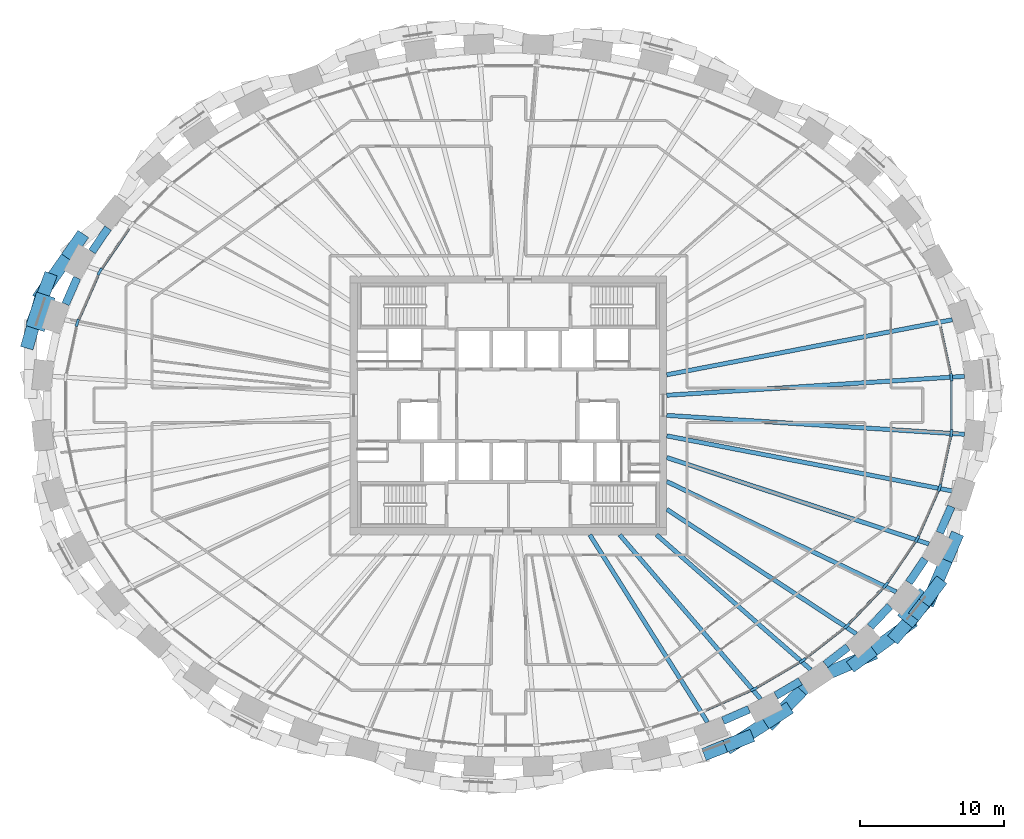
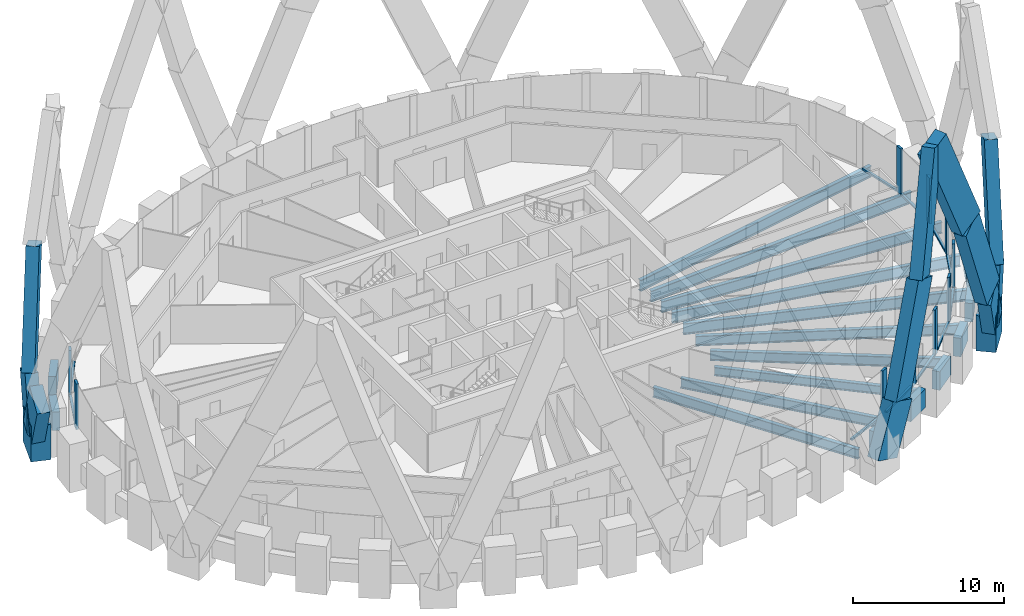
# One storey, part 3 of 15: 34 members, 18 beams, 1 element without a shape of its own.
"""IFC4 building model written with IfcOpenShell, lengths in metres."""

from ifc_helpers import new_model, si_unit, direction, frame, origin, origin_2d, place, context, subcontext, project, spatial, rectangle, i_section, extrude, source, transform, mapped, material, material_profile, profile_set, type_object, element, aggregate, save


model = new_model("IFC4")

# Units and contexts
model_context = context("Model", 3, precision=1e-05, world=origin(), true_north=direction((0.0, 1.0)))
body_context = subcontext(model_context, "Body", "Model", "MODEL_VIEW")
ifc_project = project(units=[si_unit("LENGTHUNIT", "METRE"), si_unit("AREAUNIT", "SQUARE_METRE"), si_unit("VOLUMEUNIT", "CUBIC_METRE"), si_unit("PLANEANGLEUNIT", "RADIAN"), si_unit("MASSUNIT", "GRAM", prefix="KILO")], contexts=[model_context])

# Site, building, storey
site_placement = place(None, origin())
site = spatial("IfcSite", under=ifc_project, at=site_placement, CompositionType="ELEMENT")
building_placement = place(site_placement, origin())
building = spatial("IfcBuilding", under=site, at=building_placement, Name="Embergate Tower", CompositionType="ELEMENT")
storey_placement = place(building_placement, frame((0.0, 0.0, 277.300048828125)))
storey = spatial("IfcBuildingStorey", under=building, at=storey_placement, Name="L64", CompositionType="ELEMENT", Elevation=277.300048828125)

# Beams
ifc_material_1 = material(Name="Concrete C60", Category="concrete")
ifc_material_profile_1 = material_profile(ifc_material_1, rectangle(XDim=0.550048828125, YDim=1.5, at=origin_2d()), Name="RC 550x1500")
ifc_profile_set_1 = profile_set([ifc_material_profile_1], Name="Concrete C60")
beam_type_1 = type_object("IfcBeamType", Name="Spandrel beam RC 550x1500 C60", PredefinedType="BEAM", material=ifc_profile_set_1)
shared_shape_1 = source(origin(), body_context, "Body", "SweptSolid", [
    extrude(rectangle(XDim=0.550048828125, YDim=1.5, at=origin_2d()), origin(), (0.0, 0.0, 1.0), 1.989990234375),
])
for number, where, z_axis, x_axis, name in (
    (1, (-29.97705078125, 8.85498046875, 0.0), (-0.402047764255, -0.915618695341, 0.0), (0.915618695341, -0.402047764255, 0.0), "SPN-L64-19"),
    (2, (29.97705078125, -8.85498046875, 0.0), (0.402047764255, 0.915618695341, 0.0), (-0.915618695341, 0.402047764255, 0.0), "SPN-L64-41"),
):
    element("IfcBeam", number, at=place(storey_placement, frame(where, z_axis=z_axis, x_axis=x_axis)), inside=storey, type_object=beam_type_1, Name=name, PredefinedType="BEAM", context=body_context, shape_type="MappedRepresentation", body=[
        mapped(shared_shape_1, transform((0.0, 0.0, 0.0))),
    ])
shared_shape_2 = source(origin(), body_context, "Body", "SweptSolid", [
    extrude(rectangle(XDim=0.550048828125, YDim=1.5, at=origin_2d()), origin(), (0.0, 0.0, 1.0), 1.982421875),
])
for number, where, z_axis, x_axis, name in (
    (3, (-27.827880859375, 12.322021484375, 0.0), (-0.56257611142, -0.82674549824, 0.0), (0.82674549824, -0.56257611142, 0.0), "SPN-L64-18"),
    (4, (27.827880859375, -12.322021484375, 0.0), (0.56257611142, 0.82674549824, 0.0), (-0.82674549824, 0.56257611142, 0.0), "SPN-L64-40"),
):
    element("IfcBeam", number, at=place(storey_placement, frame(where, z_axis=z_axis, x_axis=x_axis)), inside=storey, type_object=beam_type_1, Name=name, PredefinedType="BEAM", context=body_context, shape_type="MappedRepresentation", body=[
        mapped(shared_shape_2, transform((0.0, 0.0, 0.0))),
    ])
shared_shape_3 = source(origin(), body_context, "Body", "SweptSolid", [
    extrude(rectangle(XDim=0.550048828125, YDim=1.5, at=origin_2d()), origin(), (0.0, 0.0, 1.0), 1.97900390625),
])
beam_1_placement = place(storey_placement, frame((25.14306640625, -15.387939453125, 0.0), z_axis=(0.690255649164, 0.723565573253, 0.0), x_axis=(-0.723565573253, 0.690255649164, 0.0)))
element("IfcBeam", 5, at=beam_1_placement, inside=storey, type_object=beam_type_1, Name="SPN-L64-39", PredefinedType="BEAM", context=body_context, shape_type="MappedRepresentation", body=[
    mapped(shared_shape_3, transform((0.0, 0.0, 0.0))),
])
shared_shape_4 = source(origin(), body_context, "Body", "SweptSolid", [
    extrude(rectangle(XDim=0.550048828125, YDim=1.5, at=origin_2d()), origin(), (0.0, 0.0, 1.0), 1.974853515625),
])
beam_2_placement = place(storey_placement, frame((22.030029296875, -18.011962890625, 0.0), z_axis=(0.788385979859, 0.61518090572, 0.0), x_axis=(-0.61518090572, 0.788385979859, 0.0)))
element("IfcBeam", 6, at=beam_2_placement, inside=storey, type_object=beam_type_1, Name="SPN-L64-38", PredefinedType="BEAM", context=body_context, shape_type="MappedRepresentation", body=[
    mapped(shared_shape_4, transform((0.0, 0.0, 0.0))),
])
shared_shape_5 = source(origin(), body_context, "Body", "SweptSolid", [
    extrude(rectangle(XDim=0.550048828125, YDim=1.5, at=origin_2d()), origin(), (0.0, 0.0, 1.0), 1.969482421875),
])
beam_3_placement = place(storey_placement, frame((18.583984375, -20.174072265625, 0.0), z_axis=(0.862106236571, 0.506727576578, 0.0), x_axis=(-0.506727576578, 0.862106236571, 0.0)))
element("IfcBeam", 7, at=beam_3_placement, inside=storey, type_object=beam_type_1, Name="SPN-L64-37", PredefinedType="BEAM", context=body_context, shape_type="MappedRepresentation", body=[
    mapped(shared_shape_5, transform((0.0, 0.0, 0.0))),
])
shared_shape_6 = source(origin(), body_context, "Body", "SweptSolid", [
    extrude(rectangle(XDim=0.550048828125, YDim=1.5, at=origin_2d()), origin(), (0.0, 0.0, 1.0), 1.96630859375),
])
beam_4_placement = place(storey_placement, frame((14.912109375, -21.916015625, 0.0), z_axis=(0.916393681964, 0.400278177842, 0.0), x_axis=(-0.400278177842, 0.916393681964, 0.0)))
element("IfcBeam", 8, at=beam_4_placement, inside=storey, type_object=beam_type_1, Name="SPN-L64-36", PredefinedType="BEAM", context=body_context, shape_type="MappedRepresentation", body=[
    mapped(shared_shape_6, transform((0.0, 0.0, 0.0))),
])
ifc_material_2 = material(Name="Steel Q355B", Category="steel")
ifc_material_profile_2 = material_profile(ifc_material_2, i_section(OverallWidth=0.300048828125, OverallDepth=0.89990234375, WebThickness=0.01611328125, FlangeThickness=0.028076171875, FilletRadius=0.028076171875, at=origin_2d()), Name="HN 900x300x16x28")
ifc_profile_set_2 = profile_set([ifc_material_profile_2], Name="Steel Q355 grade B")
beam_type_2 = type_object("IfcBeamType", Name="Radial girder HN 900x300x16x28", PredefinedType="BEAM", material=ifc_profile_set_2)
shared_shape_7 = source(origin(), body_context, "Body", "SweptSolid", [
    extrude(i_section(OverallWidth=0.300048828125, OverallDepth=0.89990234375, WebThickness=0.01611328125, FlangeThickness=0.028076171875, FilletRadius=0.028076171875, at=origin_2d()), origin(), (0.0, 0.0, 1.0), 20.730712890625),
])
for number, where, z_axis, x_axis, name in (
    (9, (31.68896484375, 2.012939453125, -0.650146484375), (-0.997989293992, -0.06338271908, 0.0), (0.06338271908, -0.997989293992, 0.0), "GIR-L64-00"),
    (10, (31.68896484375, -2.012939453125, -0.650146484375), (-0.997989293992, 0.06338271908, 0.0), (-0.06338271908, -0.997989293992, 0.0), "GIR-L64-43"),
):
    element("IfcBeam", number, at=place(storey_placement, frame(where, z_axis=z_axis, x_axis=x_axis)), inside=storey, type_object=beam_type_2, Name=name, PredefinedType="BEAM", context=body_context, shape_type="MappedRepresentation", body=[
        mapped(shared_shape_7, transform((0.0, 0.0, 0.0))),
    ])
shared_shape_8 = source(origin(), body_context, "Body", "SweptSolid", [
    extrude(i_section(OverallWidth=0.300048828125, OverallDepth=0.89990234375, WebThickness=0.01611328125, FlangeThickness=0.028076171875, FilletRadius=0.028076171875, at=origin_2d()), origin(), (0.0, 0.0, 1.0), 20.2080078125),
])
for number, where, z_axis, x_axis, name in (
    (11, (30.842041015625, 5.949951171875, -0.650146484375), (-0.981895200214, -0.189424960862, 0.0), (0.189424960862, -0.981895200214, 0.0), "GIR-L64-01"),
    (12, (30.842041015625, -5.949951171875, -0.650146484375), (-0.981895200214, 0.189424960862, 0.0), (-0.189424960862, -0.981895200214, 0.0), "GIR-L64-42"),
):
    element("IfcBeam", number, at=place(storey_placement, frame(where, z_axis=z_axis, x_axis=x_axis)), inside=storey, type_object=beam_type_2, Name=name, PredefinedType="BEAM", context=body_context, shape_type="MappedRepresentation", body=[
        mapped(shared_shape_8, transform((0.0, 0.0, 0.0))),
    ])
shared_shape_9 = source(origin(), body_context, "Body", "SweptSolid", [
    extrude(i_section(OverallWidth=0.300048828125, OverallDepth=0.89990234375, WebThickness=0.01611328125, FlangeThickness=0.028076171875, FilletRadius=0.028076171875, at=origin_2d()), origin(), (0.0, 0.0, 1.0), 19.189453125),
])
beam_5_placement = place(storey_placement, frame((29.22412109375, -9.636962890625, -0.650146484375), z_axis=(-0.949689890727, 0.313191812555, 0.0), x_axis=(-0.313191812555, -0.949689890727, 0.0)))
element("IfcBeam", 13, at=beam_5_placement, inside=storey, type_object=beam_type_2, Name="GIR-L64-41", PredefinedType="BEAM", context=body_context, shape_type="MappedRepresentation", body=[
    mapped(shared_shape_9, transform((0.0, 0.0, 0.0))),
])
ifc_material_profile_3 = material_profile(ifc_material_2, i_section(OverallWidth=0.300048828125, OverallDepth=0.800048828125, WebThickness=0.013916015625, FlangeThickness=0.02587890625, FilletRadius=0.028076171875, at=origin_2d()), Name="HN 800x300x14x26")
ifc_profile_set_3 = profile_set([ifc_material_profile_3], Name="Steel Q355 grade B")
beam_type_3 = type_object("IfcBeamType", Name="Radial girder HN 800x300x14x26", PredefinedType="BEAM", material=ifc_profile_set_3)
shared_shape_10 = source(origin(), body_context, "Body", "SweptSolid", [
    extrude(i_section(OverallWidth=0.300048828125, OverallDepth=0.800048828125, WebThickness=0.013916015625, FlangeThickness=0.02587890625, FilletRadius=0.028076171875, at=origin_2d()), origin(), (0.0, 0.0, 1.0), 17.70947265625),
])
beam_6_placement = place(storey_placement, frame((26.958984375, -12.968994140625, -0.60009765625), z_axis=(-0.901155084862, 0.433496843157, 0.0), x_axis=(-0.433496843157, -0.901155084862, 0.0)))
element("IfcBeam", 14, at=beam_6_placement, inside=storey, type_object=beam_type_3, Name="GIR-L64-40", PredefinedType="BEAM", context=body_context, shape_type="MappedRepresentation", body=[
    mapped(shared_shape_10, transform((0.0, 0.0, 0.0))),
])
shared_shape_11 = source(origin(), body_context, "Body", "SweptSolid", [
    extrude(i_section(OverallWidth=0.300048828125, OverallDepth=0.800048828125, WebThickness=0.013916015625, FlangeThickness=0.02587890625, FilletRadius=0.028076171875, at=origin_2d()), origin(), (0.0, 0.0, 1.0), 15.767578125),
])
beam_7_placement = place(storey_placement, frame((24.177978515625, -15.885009765625, -0.60009765625), z_axis=(-0.835759482959, 0.549095698986, 0.0), x_axis=(-0.549095698986, -0.835759482959, 0.0)))
element("IfcBeam", 15, at=beam_7_placement, inside=storey, type_object=beam_type_3, Name="GIR-L64-39", PredefinedType="BEAM", context=body_context, shape_type="MappedRepresentation", body=[
    mapped(shared_shape_11, transform((0.0, 0.0, 0.0))),
])
ifc_material_profile_4 = material_profile(ifc_material_2, i_section(OverallWidth=0.300048828125, OverallDepth=0.699951171875, WebThickness=0.012939453125, FlangeThickness=0.02392578125, FilletRadius=0.01806640625, at=origin_2d()), Name="HN 700x300x13x24")
ifc_profile_set_4 = profile_set([ifc_material_profile_4], Name="Steel Q355 grade B")
beam_type_4 = type_object("IfcBeamType", Name="Radial girder HN 700x300x13x24", PredefinedType="BEAM", material=ifc_profile_set_4)
shared_shape_12 = source(origin(), body_context, "Body", "SweptSolid", [
    extrude(i_section(OverallWidth=0.300048828125, OverallDepth=0.699951171875, WebThickness=0.012939453125, FlangeThickness=0.02392578125, FilletRadius=0.01806640625, at=origin_2d()), origin(), (0.0, 0.0, 1.0), 14.226318359375),
])
beam_8_placement = place(storey_placement, frame((21.0009765625, -18.364990234375, -0.550048828125), z_axis=(-0.752763768185, 0.658290748308, 0.0), x_axis=(-0.658290748308, -0.752763768185, 0.0)))
element("IfcBeam", 16, at=beam_8_placement, inside=storey, type_object=beam_type_4, Name="GIR-L64-38", PredefinedType="BEAM", context=body_context, shape_type="MappedRepresentation", body=[
    mapped(shared_shape_12, transform((0.0, 0.0, 0.0))),
])
shared_shape_13 = source(origin(), body_context, "Body", "SweptSolid", [
    extrude(i_section(OverallWidth=0.300048828125, OverallDepth=0.800048828125, WebThickness=0.013916015625, FlangeThickness=0.02587890625, FilletRadius=0.028076171875, at=origin_2d()), origin(), (0.0, 0.0, 1.0), 15.03662109375),
])
beam_9_placement = place(storey_placement, frame((17.52490234375, -20.407958984375, -0.60009765625), z_axis=(-0.651467693725, 0.758676376351, 0.0), x_axis=(-0.758676376351, -0.651467693725, 0.0)))
element("IfcBeam", 17, at=beam_9_placement, inside=storey, type_object=beam_type_3, Name="GIR-L64-37", PredefinedType="BEAM", context=body_context, shape_type="MappedRepresentation", body=[
    mapped(shared_shape_13, transform((0.0, 0.0, 0.0))),
])
shared_shape_14 = source(origin(), body_context, "Body", "SweptSolid", [
    extrude(i_section(OverallWidth=0.300048828125, OverallDepth=0.800048828125, WebThickness=0.013916015625, FlangeThickness=0.02587890625, FilletRadius=0.028076171875, at=origin_2d()), origin(), (0.0, 0.0, 1.0), 15.37841796875),
])
beam_10_placement = place(storey_placement, frame((13.83203125, -22.02294921875, -0.60009765625), z_axis=(-0.53184995305, 0.84683860767, 0.0), x_axis=(-0.84683860767, -0.53184995305, 0.0)))
element("IfcBeam", 18, at=beam_10_placement, inside=storey, type_object=beam_type_3, Name="GIR-L64-36", PredefinedType="BEAM", context=body_context, shape_type="MappedRepresentation", body=[
    mapped(shared_shape_14, transform((0.0, 0.0, 0.0))),
])

# Members
ifc_material_3 = material(Name="Concrete C70", Category="concrete")
ifc_material_profile_5 = material_profile(ifc_material_3, rectangle(XDim=1.35009765625, YDim=2.449951171875, at=origin_2d()), Name="RC 1350x2450")
ifc_profile_set_5 = profile_set([ifc_material_profile_5], Name="Concrete C70")
member_type_1 = type_object("IfcMemberType", Name="Lattice node block RC 1350x2450", PredefinedType="POST", material=ifc_profile_set_5)
shared_shape_15 = source(origin(), body_context, "Body", "SweptSolid", [
    extrude(rectangle(XDim=1.35009765625, YDim=2.449951171875, at=origin_2d()), origin(), (0.0, 0.0, 1.0), 2.85009765625),
])
for number, where, z_axis, x_axis, name in (
    (19, (-32.530029296875, 6.5, -1.425048828125), (0.0, 0.0, 1.0), (-0.950754033697, 0.309946394413, 0.0), "NOD-L64-20"),
    (20, (28.3359375, -14.089111328125, -1.425048828125), (0.0, 0.0, 1.0), (0.775914301615, -0.630838328377, 0.0), "NOD-L64-40"),
):
    element("IfcMember", number, at=place(storey_placement, frame(where, z_axis=z_axis, x_axis=x_axis)), inside=storey, type_object=member_type_1, Name=name, PredefinedType="POST", context=body_context, shape_type="MappedRepresentation", body=[
        mapped(shared_shape_15, transform((0.0, 0.0, 0.0))),
    ])
ifc_material_profile_6 = material_profile(ifc_material_3, rectangle(XDim=0.89990234375, YDim=2.199951171875, at=origin_2d()), Name="RC 900x2200")
ifc_profile_set_6 = profile_set([ifc_material_profile_6], Name="Concrete C70")
member_type_2 = type_object("IfcMemberType", Name="Lattice diagonal terracotta-faced RC 900x2200", PredefinedType="BRACE", material=ifc_profile_set_6)
shared_shape_16 = source(origin(), body_context, "Body", "SweptSolid", [
    extrude(rectangle(XDim=0.89990234375, YDim=2.199951171875, at=origin_2d()), origin(), (0.0, 0.0, 1.0), 4.275146484375),
])
member_1_placement = place(storey_placement, frame((-32.743896484375, 6.569091796875, 0.0), z_axis=(0.142653379234, 0.384044826001, 0.912227814208), x_axis=(-0.937418772167, 0.34820402868, 0.0)))
element("IfcMember", 21, at=member_1_placement, inside=storey, type_object=member_type_2, Name="BRC-L64-20-18-S00", PredefinedType="BRACE", context=body_context, shape_type="MappedRepresentation", body=[
    mapped(shared_shape_16, transform((0.0, 0.0, 0.0))),
])
shared_shape_17 = source(origin(), body_context, "Body", "SweptSolid", [
    extrude(rectangle(XDim=0.89990234375, YDim=2.199951171875, at=origin_2d()), origin(), (0.0, 0.0, 1.0), 8.552978515625),
])
member_2_placement = place(storey_placement, frame((-32.134033203125, 8.2109375, 3.89990234375), z_axis=(0.235350724086, 0.336027740926, 0.911973351585), x_axis=(-0.819081527453, 0.573677131656, 0.0)))
element("IfcMember", 22, at=member_2_placement, inside=storey, type_object=member_type_2, Name="BRC-L64-20-18-S01", PredefinedType="BRACE", context=body_context, shape_type="MappedRepresentation", body=[
    mapped(shared_shape_17, transform((0.0, 0.0, 0.0))),
])
shared_shape_18 = source(origin(), body_context, "Body", "SweptSolid", [
    extrude(rectangle(XDim=0.89990234375, YDim=2.199951171875, at=origin_2d()), origin(), (0.0, 0.0, 1.0), 4.251220703125),
])
member_3_placement = place(storey_placement, frame((-32.743896484375, 6.569091796875, 0.0), z_axis=(-0.108255151901, -0.382999261554, 0.917383446404), x_axis=(0.962298730271, -0.271994767815, 0.0)))
element("IfcMember", 23, at=member_3_placement, inside=storey, type_object=member_type_2, Name="BRC-L64-20-22-S00", PredefinedType="BRACE", context=body_context, shape_type="MappedRepresentation", body=[
    mapped(shared_shape_18, transform((0.0, 0.0, 0.0))),
])
shared_shape_19 = source(origin(), body_context, "Body", "SweptSolid", [
    extrude(rectangle(XDim=0.89990234375, YDim=2.199951171875, at=origin_2d()), origin(), (0.0, 0.0, 1.0), 4.21337890625),
])
member_4_placement = place(storey_placement, frame((14.528076171875, -23.89794921875, 0.0), z_axis=(0.351951060863, 0.139297061297, 0.925595364871), x_axis=(-0.368009849825, 0.929821891779, 0.0)))
element("IfcMember", 24, at=member_4_placement, inside=storey, type_object=member_type_2, Name="BRC-L64-36-38-S00", PredefinedType="BRACE", context=body_context, shape_type="MappedRepresentation", body=[
    mapped(shared_shape_19, transform((0.0, 0.0, 0.0))),
])
shared_shape_20 = source(origin(), body_context, "Body", "SweptSolid", [
    extrude(rectangle(XDim=0.89990234375, YDim=2.199951171875, at=origin_2d()), origin(), (0.0, 0.0, 1.0), 8.4404296875),
])
member_5_placement = place(storey_placement, frame((16.010986328125, -23.31103515625, 3.89990234375), z_axis=(0.320487746092, 0.208056710979, 0.924121209378), x_axis=(-0.54450931685, 0.838754793646, 0.0)))
element("IfcMember", 25, at=member_5_placement, inside=storey, type_object=member_type_2, Name="BRC-L64-36-38-S01", PredefinedType="BRACE", context=body_context, shape_type="MappedRepresentation", body=[
    mapped(shared_shape_20, transform((0.0, 0.0, 0.0))),
])
shared_shape_21 = source(origin(), body_context, "Body", "SweptSolid", [
    extrude(rectangle(XDim=0.89990234375, YDim=2.199951171875, at=origin_2d()), origin(), (0.0, 0.0, 1.0), 9.066650390625),
])
member_6_placement = place(storey_placement, frame((18.716064453125, -21.554931640625, 11.699951171875), z_axis=(0.260954890011, 0.271214286677, 0.926469295812), x_axis=(-0.720604806595, 0.693346026679, 0.0)))
element("IfcMember", 26, at=member_6_placement, inside=storey, type_object=member_type_2, Name="BRC-L64-36-38-S02", PredefinedType="BRACE", context=body_context, shape_type="MappedRepresentation", body=[
    mapped(shared_shape_21, transform((0.0, 0.0, 0.0))),
])
shared_shape_22 = source(origin(), body_context, "Body", "SweptSolid", [
    extrude(rectangle(XDim=0.89990234375, YDim=2.199951171875, at=origin_2d()), origin(), (0.0, 0.0, 1.0), 4.277099609375),
])
member_7_placement = place(storey_placement, frame((28.510986328125, -14.23095703125, 0.0), z_axis=(-0.269818359679, -0.309546216318, 0.911799974086), x_axis=(0.753823926311, -0.657076470528, 0.0)))
element("IfcMember", 27, at=member_7_placement, inside=storey, type_object=member_type_2, Name="BRC-L64-40-38-S00", PredefinedType="BRACE", context=body_context, shape_type="MappedRepresentation", body=[
    mapped(shared_shape_22, transform((0.0, 0.0, 0.0))),
])
shared_shape_23 = source(origin(), body_context, "Body", "SweptSolid", [
    extrude(rectangle(XDim=0.89990234375, YDim=2.199951171875, at=origin_2d()), origin(), (0.0, 0.0, 1.0), 8.5322265625),
])
member_8_placement = place(storey_placement, frame((27.35693359375, -15.554931640625, 3.89990234375), z_axis=(-0.327453897586, -0.238866230081, 0.914175513281), x_axis=(0.589329620404, -0.807892689974, 0.0)))
element("IfcMember", 28, at=member_8_placement, inside=storey, type_object=member_type_2, Name="BRC-L64-40-38-S01", PredefinedType="BRACE", context=body_context, shape_type="MappedRepresentation", body=[
    mapped(shared_shape_23, transform((0.0, 0.0, 0.0))),
])
shared_shape_24 = source(origin(), body_context, "Body", "SweptSolid", [
    extrude(rectangle(XDim=0.89990234375, YDim=2.199951171875, at=origin_2d()), origin(), (0.0, 0.0, 1.0), 9.216064453125),
])
member_9_placement = place(storey_placement, frame((24.56298828125, -17.593017578125, 11.699951171875), z_axis=(-0.377708983145, -0.163078727749, 0.911450082345), x_axis=(0.396389145409, -0.918082591819, 0.0)))
element("IfcMember", 29, at=member_9_placement, inside=storey, type_object=member_type_2, Name="BRC-L64-40-38-S02", PredefinedType="BRACE", context=body_context, shape_type="MappedRepresentation", body=[
    mapped(shared_shape_24, transform((0.0, 0.0, 0.0))),
])
shared_shape_25 = source(origin(), body_context, "Body", "SweptSolid", [
    extrude(rectangle(XDim=0.89990234375, YDim=2.199951171875, at=origin_2d()), origin(), (0.0, 0.0, 1.0), 4.2294921875),
])
member_10_placement = place(storey_placement, frame((28.510986328125, -14.23095703125, 0.0), z_axis=(0.234061713172, 0.308291889039, 0.922047301162), x_axis=(-0.796460946104, 0.604689971251, 0.0)))
element("IfcMember", 30, at=member_10_placement, inside=storey, type_object=member_type_2, Name="BRC-L64-40-42-S00", PredefinedType="BRACE", context=body_context, shape_type="MappedRepresentation", body=[
    mapped(shared_shape_25, transform((0.0, 0.0, 0.0))),
])
shared_shape_26 = source(origin(), body_context, "Body", "SweptSolid", [
    extrude(rectangle(XDim=0.89990234375, YDim=2.199951171875, at=origin_2d()), origin(), (0.0, 0.0, 1.0), 8.492431640625),
])
member_11_placement = place(storey_placement, frame((29.5009765625, -12.927001953125, 3.89990234375), z_axis=(0.155211221543, 0.363750247486, 0.918474405828), x_axis=(-0.919768022204, 0.392462463596, 0.0)))
element("IfcMember", 31, at=member_11_placement, inside=storey, type_object=member_type_2, Name="BRC-L64-40-42-S01", PredefinedType="BRACE", context=body_context, shape_type="MappedRepresentation", body=[
    mapped(shared_shape_26, transform((0.0, 0.0, 0.0))),
])

# Curtain wall, members
ifc_material_4 = material(Name="Aluminium and glass", Category="aluminium")
curtain_wall_type = type_object("IfcCurtainWallType", Name="Recessed office glazing", PredefinedType="NOTDEFINED", material=ifc_material_4)
curtain_wall_placement = place(storey_placement, origin())
curtain_wall = element("IfcCurtainWall", 32, at=curtain_wall_placement, inside=storey, type_object=curtain_wall_type, Name="Recessed office glazing ring", ObjectType="RECESSED OFFICE GLAZING", PredefinedType="USERDEFINED")
ifc_material_5 = material(Name="Aluminium, thermally broken", Category="aluminium")
ifc_material_profile_7 = material_profile(ifc_material_5, rectangle(XDim=0.179931640625, YDim=0.52001953125, at=origin_2d()), Name="AL 520x180")
ifc_profile_set_7 = profile_set([ifc_material_profile_7], Name="Aluminium, thermally broken")
member_type_3 = type_object("IfcMemberType", Name="Office mullion", PredefinedType="MULLION", material=ifc_profile_set_7)
shared_shape_27 = source(origin(), body_context, "Body", "SweptSolid", [
    extrude(rectangle(XDim=0.179931640625, YDim=0.52001953125, at=origin_2d()), origin(), (0.0, 0.0, 1.0), 3.699951171875),
])
member_12_placement = place(storey_placement, frame((30.779052734375, 1.938232421875, 0.0), z_axis=(0.0, 0.0, 1.0), x_axis=(-0.994384215926, -0.105830199459, 0.0)))
member_12 = element("IfcMember", 33, at=member_12_placement, type_object=member_type_3, Name="CW mullion 1", PredefinedType="MULLION", context=body_context, shape_type="MappedRepresentation", body=[
    mapped(shared_shape_27, transform((0.0, 0.0, 0.0))),
])
member_13_placement = place(storey_placement, frame((-28.402099609375, 9.2890625, 0.0), z_axis=(0.0, 0.0, 1.0), x_axis=(0.874992601244, -0.484136290489, 0.0)))
member_13 = element("IfcMember", 34, at=member_13_placement, type_object=member_type_3, Name="CW mullion 20", PredefinedType="MULLION", context=body_context, shape_type="MappedRepresentation", body=[
    mapped(shared_shape_27, transform((0.0, 0.0, 0.0))),
])
member_14_placement = place(storey_placement, frame((-29.962890625, 5.73046875, 0.0), z_axis=(0.0, 0.0, 1.0), x_axis=(0.951492965233, -0.307670500881, 0.0)))
member_14 = element("IfcMember", 35, at=member_14_placement, type_object=member_type_3, Name="CW mullion 21", PredefinedType="MULLION", context=body_context, shape_type="MappedRepresentation", body=[
    mapped(shared_shape_27, transform((0.0, 0.0, 0.0))),
])
member_15_placement = place(storey_placement, frame((17.06005859375, -19.724365234375, 0.0), z_axis=(0.0, 0.0, 1.0), x_axis=(-0.454503607328, 0.89074489666, 0.0)))
member_15 = element("IfcMember", 36, at=member_15_placement, type_object=member_type_3, Name="CW mullion 38", PredefinedType="MULLION", context=body_context, shape_type="MappedRepresentation", body=[
    mapped(shared_shape_27, transform((0.0, 0.0, 0.0))),
])
member_16_placement = place(storey_placement, frame((20.43603515625, -17.73974609375, 0.0), z_axis=(0.0, 0.0, 1.0), x_axis=(-0.562207514921, 0.82699619719, 0.0)))
member_16 = element("IfcMember", 37, at=member_16_placement, type_object=member_type_3, Name="CW mullion 39", PredefinedType="MULLION", context=body_context, shape_type="MappedRepresentation", body=[
    mapped(shared_shape_27, transform((0.0, 0.0, 0.0))),
])
member_17_placement = place(storey_placement, frame((23.5185546875, -15.333740234375, 0.0), z_axis=(0.0, 0.0, 1.0), x_axis=(-0.671216184057, 0.741261650337, 0.0)))
member_17 = element("IfcMember", 38, at=member_17_placement, type_object=member_type_3, Name="CW mullion 40", PredefinedType="MULLION", context=body_context, shape_type="MappedRepresentation", body=[
    mapped(shared_shape_27, transform((0.0, 0.0, 0.0))),
])
member_18_placement = place(storey_placement, frame((26.212158203125, -12.509521484375, 0.0), z_axis=(0.0, 0.0, 1.0), x_axis=(-0.777861596203, 0.628435626897, 0.0)))
member_18 = element("IfcMember", 39, at=member_18_placement, type_object=member_type_3, Name="CW mullion 41", PredefinedType="MULLION", context=body_context, shape_type="MappedRepresentation", body=[
    mapped(shared_shape_27, transform((0.0, 0.0, 0.0))),
])
member_19_placement = place(storey_placement, frame((28.402099609375, -9.2890625, 0.0), z_axis=(0.0, 0.0, 1.0), x_axis=(-0.874992601244, 0.484136290489, 0.0)))
member_19 = element("IfcMember", 40, at=member_19_placement, type_object=member_type_3, Name="CW mullion 42", PredefinedType="MULLION", context=body_context, shape_type="MappedRepresentation", body=[
    mapped(shared_shape_27, transform((0.0, 0.0, 0.0))),
])
member_20_placement = place(storey_placement, frame((29.962890625, -5.73046875, 0.0), z_axis=(0.0, 0.0, 1.0), x_axis=(-0.951492965233, 0.307670500881, 0.0)))
member_20 = element("IfcMember", 41, at=member_20_placement, type_object=member_type_3, Name="CW mullion 43", PredefinedType="MULLION", context=body_context, shape_type="MappedRepresentation", body=[
    mapped(shared_shape_27, transform((0.0, 0.0, 0.0))),
])
member_21_placement = place(storey_placement, frame((30.779052734375, -1.938232421875, 0.0), z_axis=(0.0, 0.0, 1.0), x_axis=(-0.994384215926, 0.105830199459, 0.0)))
member_21 = element("IfcMember", 42, at=member_21_placement, type_object=member_type_3, Name="CW mullion 44", PredefinedType="MULLION", context=body_context, shape_type="MappedRepresentation", body=[
    mapped(shared_shape_27, transform((0.0, 0.0, 0.0))),
])
ifc_material_profile_8 = material_profile(ifc_material_5, rectangle(XDim=0.179931640625, YDim=0.14990234375, at=origin_2d()), Name="AL 150x180")
ifc_profile_set_8 = profile_set([ifc_material_profile_8], Name="Aluminium, thermally broken")
member_type_4 = type_object("IfcMemberType", Name="Office sill transom", PredefinedType="USERDEFINED", material=ifc_profile_set_8)
shared_shape_28 = source(origin(), body_context, "Body", "SweptSolid", [
    extrude(rectangle(XDim=0.179931640625, YDim=0.14990234375, at=origin_2d()), origin(), (0.0, 0.0, 1.0), 3.359130859375),
])
member_22_placement = place(storey_placement, frame((30.724365234375, 2.1923828125, 0.074951171875), z_axis=(-0.210407541396, 0.977613761423, 0.0), x_axis=(-0.977613761423, -0.210407541396, 0.0)))
member_22 = element("IfcMember", 43, at=member_22_placement, type_object=member_type_4, Name="CW transom 1.1", ObjectType="TRANSOM", PredefinedType="USERDEFINED", context=body_context, shape_type="MappedRepresentation", body=[
    mapped(shared_shape_28, transform((0.0, 0.0, 0.0))),
])
member_23_placement = place(storey_placement, frame((30.017578125, -5.476318359375, 0.074951171875), z_axis=(0.210407541396, 0.977613761423, 0.0), x_axis=(-0.977613761423, 0.210407541396, 0.0)))
member_23 = element("IfcMember", 44, at=member_23_placement, type_object=member_type_4, Name="CW transom 43.1", ObjectType="TRANSOM", PredefinedType="USERDEFINED", context=body_context, shape_type="MappedRepresentation", body=[
    mapped(shared_shape_28, transform((0.0, 0.0, 0.0))),
])
shared_shape_29 = source(origin(), body_context, "Body", "SweptSolid", [
    extrude(rectangle(XDim=0.179931640625, YDim=0.14990234375, at=origin_2d()), origin(), (0.0, 0.0, 1.0), 3.365966796875),
])
member_24_placement = place(storey_placement, frame((-28.506591796875, 9.051025390625, 0.074951171875), z_axis=(-0.401617738642, -0.91580739897, 0.0), x_axis=(0.91580739897, -0.401617738642, 0.0)))
member_24 = element("IfcMember", 45, at=member_24_placement, type_object=member_type_4, Name="CW transom 20.1", ObjectType="TRANSOM", PredefinedType="USERDEFINED", context=body_context, shape_type="MappedRepresentation", body=[
    mapped(shared_shape_29, transform((0.0, 0.0, 0.0))),
])
member_25_placement = place(storey_placement, frame((28.506591796875, -9.051025390625, 0.074951171875), z_axis=(0.401617738642, 0.91580739897, 0.0), x_axis=(-0.91580739897, 0.401617738642, 0.0)))
member_25 = element("IfcMember", 46, at=member_25_placement, type_object=member_type_4, Name="CW transom 42.1", ObjectType="TRANSOM", PredefinedType="USERDEFINED", context=body_context, shape_type="MappedRepresentation", body=[
    mapped(shared_shape_29, transform((0.0, 0.0, 0.0))),
])
shared_shape_30 = source(origin(), body_context, "Body", "SweptSolid", [
    extrude(rectangle(XDim=0.179931640625, YDim=0.14990234375, at=origin_2d()), origin(), (0.0, 0.0, 1.0), 3.37451171875),
])
member_26_placement = place(storey_placement, frame((-26.3583984375, 12.29443359375, 0.074951171875), z_axis=(-0.562373345437, -0.826883438183, 0.0), x_axis=(0.826883438183, -0.562373345437, 0.0)))
member_26 = element("IfcMember", 47, at=member_26_placement, type_object=member_type_4, Name="CW transom 19.1", ObjectType="TRANSOM", PredefinedType="USERDEFINED", context=body_context, shape_type="MappedRepresentation", body=[
    mapped(shared_shape_30, transform((0.0, 0.0, 0.0))),
])
member_27_placement = place(storey_placement, frame((26.3583984375, -12.29443359375, 0.074951171875), z_axis=(0.562373345437, 0.826883438183, 0.0), x_axis=(-0.826883438183, 0.562373345437, 0.0)))
member_27 = element("IfcMember", 48, at=member_27_placement, type_object=member_type_4, Name="CW transom 41.1", ObjectType="TRANSOM", PredefinedType="USERDEFINED", context=body_context, shape_type="MappedRepresentation", body=[
    mapped(shared_shape_30, transform((0.0, 0.0, 0.0))),
])
shared_shape_31 = source(origin(), body_context, "Body", "SweptSolid", [
    extrude(rectangle(XDim=0.179931640625, YDim=0.14990234375, at=origin_2d()), origin(), (0.0, 0.0, 1.0), 3.383056640625),
])
member_28_placement = place(storey_placement, frame((23.697998046875, -15.145751953125, 0.074951171875), z_axis=(0.690128955737, 0.723686413064, 0.0), x_axis=(-0.723686413064, 0.690128955737, 0.0)))
member_28 = element("IfcMember", 49, at=member_28_placement, type_object=member_type_4, Name="CW transom 40.1", ObjectType="TRANSOM", PredefinedType="USERDEFINED", context=body_context, shape_type="MappedRepresentation", body=[
    mapped(shared_shape_31, transform((0.0, 0.0, 0.0))),
])
shared_shape_32 = source(origin(), body_context, "Body", "SweptSolid", [
    extrude(rectangle(XDim=0.179931640625, YDim=0.14990234375, at=origin_2d()), origin(), (0.0, 0.0, 1.0), 3.39013671875),
])
member_29_placement = place(storey_placement, frame((20.64111328125, -17.57958984375, 0.074951171875), z_axis=(0.788350711598, 0.61522610114, 0.0), x_axis=(-0.61522610114, 0.788350711598, 0.0)))
member_29 = element("IfcMember", 50, at=member_29_placement, type_object=member_type_4, Name="CW transom 39.1", ObjectType="TRANSOM", PredefinedType="USERDEFINED", context=body_context, shape_type="MappedRepresentation", body=[
    mapped(shared_shape_32, transform((0.0, 0.0, 0.0))),
])
shared_shape_33 = source(origin(), body_context, "Body", "SweptSolid", [
    extrude(rectangle(XDim=0.179931640625, YDim=0.14990234375, at=origin_2d()), origin(), (0.0, 0.0, 1.0), 3.396240234375),
])
member_30_placement = place(storey_placement, frame((17.2841796875, -19.5927734375, 0.074951171875), z_axis=(0.86206354594, 0.50680020004, 0.0), x_axis=(-0.50680020004, 0.86206354594, 0.0)))
member_30 = element("IfcMember", 51, at=member_30_placement, type_object=member_type_4, Name="CW transom 38.1", ObjectType="TRANSOM", PredefinedType="USERDEFINED", context=body_context, shape_type="MappedRepresentation", body=[
    mapped(shared_shape_33, transform((0.0, 0.0, 0.0))),
])
shared_shape_34 = source(origin(), body_context, "Body", "SweptSolid", [
    extrude(rectangle(XDim=0.179931640625, YDim=0.14990234375, at=origin_2d()), origin(), (0.0, 0.0, 1.0), 3.400634765625),
])
member_31_placement = place(storey_placement, frame((13.706298828125, -21.19091796875, 0.074951171875), z_axis=(0.916246290904, 0.400615444542, 0.0), x_axis=(-0.400615444542, 0.916246290904, 0.0)))
member_31 = element("IfcMember", 52, at=member_31_placement, type_object=member_type_4, Name="CW transom 37.1", ObjectType="TRANSOM", PredefinedType="USERDEFINED", context=body_context, shape_type="MappedRepresentation", body=[
    mapped(shared_shape_34, transform((0.0, 0.0, 0.0))),
])
shared_shape_35 = source(origin(), body_context, "Body", "SweptSolid", [
    extrude(rectangle(XDim=0.179931640625, YDim=0.14990234375, at=origin_2d()), origin(), (0.0, 0.0, 1.0), 3.3564453125),
])
member_32_placement = place(storey_placement, frame((30.779052734375, -1.67822265625, 0.074951171875), z_axis=(0.0, 1.0, 0.0), x_axis=(-1.0, 0.0, 0.0)))
member_32 = element("IfcMember", 53, at=member_32_placement, type_object=member_type_4, Name="CW transom 44.1", ObjectType="TRANSOM", PredefinedType="USERDEFINED", context=body_context, shape_type="MappedRepresentation", body=[
    mapped(shared_shape_35, transform((0.0, 0.0, 0.0))),
])
aggregate(curtain_wall, [member_12, member_13, member_14, member_15, member_16, member_17, member_18, member_19, member_20, member_21, member_22, member_26, member_24, member_31, member_30, member_29, member_28, member_27, member_25, member_23, member_32])

save(model, "model.ifc")
